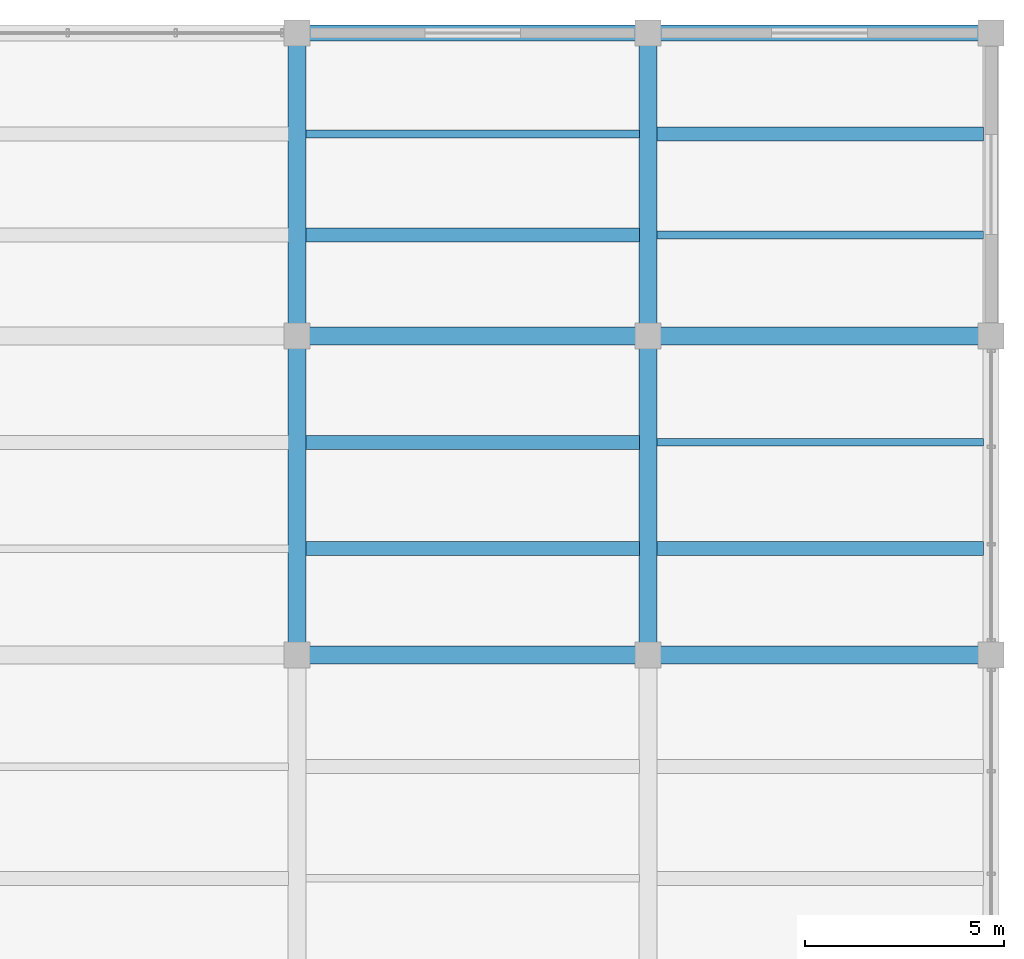
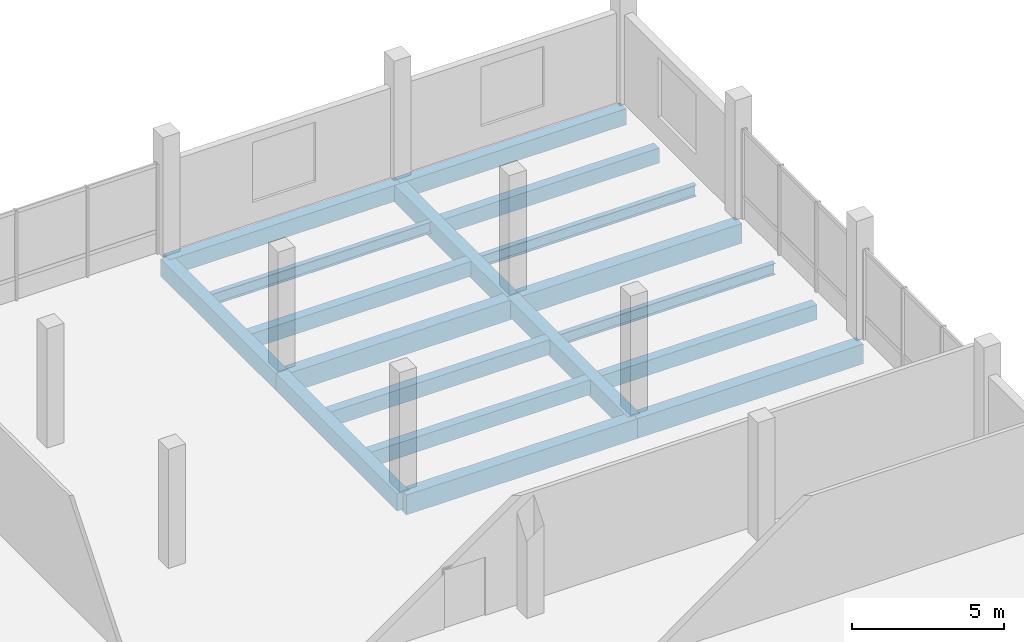
# One storey, part 51 of 71: 18 beams.
"""IFC4 building model written with IfcOpenShell, lengths in metres."""

from ifc_helpers import new_model, si_unit, direction, frame, origin, origin_2d, place, context, subcontext, project, spatial, rectangle, i_section, extrude, material, material_profile, profile_set, type_object, element, save


model = new_model("IFC4")

# Units and contexts
model_context = context("Model", 3, precision=1e-05, world=origin(), true_north=direction((0.0, 1.0)))
body_context = subcontext(model_context, "Body", "Model", "MODEL_VIEW")
ifc_project = project(units=[si_unit("LENGTHUNIT", "METRE"), si_unit("AREAUNIT", "SQUARE_METRE"), si_unit("VOLUMEUNIT", "CUBIC_METRE"), si_unit("PLANEANGLEUNIT", "RADIAN"), si_unit("MASSUNIT", "GRAM", prefix="KILO")], contexts=[model_context])

# Site, building, storey
site_placement = place(None, origin())
site = spatial("IfcSite", under=ifc_project, at=site_placement, CompositionType="ELEMENT")
building_placement = place(site_placement, origin())
building = spatial("IfcBuilding", under=site, at=building_placement, Name="Meriwether Solvik Hall", CompositionType="ELEMENT")
storey_placement = place(building_placement, frame((0.0, 0.0, 5.10009765625)))
storey = spatial("IfcBuildingStorey", under=building, at=storey_placement, Name="L01", CompositionType="ELEMENT", Elevation=5.10009765625)

# Beams
ifc_material_1 = material(Name="Concrete C40/50", Category="concrete")
ifc_material_profile_1 = material_profile(ifc_material_1, rectangle(XDim=0.35009765625, YDim=0.60009765625, at=origin_2d()), Name="RCB-350X600")
ifc_profile_set_1 = profile_set([ifc_material_profile_1], Name="Concrete C40/50")
beam_type_1 = type_object("IfcBeamType", Name="BM-RC-350X600", PredefinedType="JOIST", material=ifc_profile_set_1)
for number, where, z_axis, x_axis, name in (
    (1, (149.6201171875, 103.86669921875, -0.60009765625), (1.0, 0.0, 0.0), (0.0, 1.0, 0.0), "Secondary Floor Joist 17/L_J1 (L01)"),
    (2, (149.6201171875, 106.533203125, -0.60009765625), (1.0, 0.0, 0.0), (0.0, 1.0, 0.0), "Secondary Floor Joist 17/L_J2 (L01)"),
    (3, (149.6201171875, 111.7333984375, -0.60009765625), (1.0, 0.0, 0.0), (0.0, 1.0, 0.0), "Secondary Floor Joist 17/M_J1 (L01)"),
):
    element("IfcBeam", number, at=place(storey_placement, frame(where, z_axis=z_axis, x_axis=x_axis)), inside=storey, type_object=beam_type_1, Name=name, PredefinedType="JOIST", context=body_context, shape_type="SweptSolid", body=[
        extrude(rectangle(XDim=0.35009765625, YDim=0.60009765625, at=origin_2d()), origin(), (0.0, 0.0, 1.0), 8.35986328125),
    ])
for number, where, z_axis, x_axis, name in (
    (4, (158.419921875, 103.86669921875, -0.60009765625), (1.0, 0.0, 0.0), (0.0, 1.0, 0.0), "Secondary Floor Joist 18/L_J1 (L01)"),
    (5, (158.419921875, 114.2666015625, -0.60009765625), (1.0, 0.0, 0.0), (0.0, 1.0, 0.0), "Secondary Floor Joist 18/M_J2 (L01)"),
):
    element("IfcBeam", number, at=place(storey_placement, frame(where, z_axis=z_axis, x_axis=x_axis)), inside=storey, type_object=beam_type_1, Name=name, PredefinedType="JOIST", context=body_context, shape_type="SweptSolid", body=[
        extrude(rectangle(XDim=0.35009765625, YDim=0.60009765625, at=origin_2d()), origin(), (0.0, 0.0, 1.0), 8.18505859375),
    ])
ifc_material_2 = material(Name="Concrete C40/50", Category="concrete")
ifc_material_profile_2 = material_profile(ifc_material_2, rectangle(XDim=0.39990234375, YDim=0.64990234375, at=origin_2d()), Name="RCB-400X650")
ifc_profile_set_2 = profile_set([ifc_material_profile_2], Name="Concrete C40/50")
beam_type_2 = type_object("IfcBeamType", Name="BM-RC-400X650", PredefinedType="SPANDREL", material=ifc_profile_set_2)
beam_1_placement = place(storey_placement, frame((149.39990234375, 116.800048828125, -0.625), z_axis=(1.0, 0.0, 0.0), x_axis=(0.0, 1.0, 0.0)))
element("IfcBeam", 6, at=beam_1_placement, inside=storey, type_object=beam_type_2, Name="Podium Girder N:17-18 (L01)", PredefinedType="SPANDREL", context=body_context, shape_type="SweptSolid", body=[
    extrude(rectangle(XDim=0.39990234375, YDim=0.64990234375, at=origin_2d()), origin(), (0.0, 0.0, 1.0), 8.800048828125),
])
beam_2_placement = place(storey_placement, frame((158.199951171875, 116.800048828125, -0.625), z_axis=(1.0, 0.0, 0.0), x_axis=(0.0, 1.0, 0.0)))
element("IfcBeam", 7, at=beam_2_placement, inside=storey, type_object=beam_type_2, Name="Podium Girder N:18-19 (L01)", PredefinedType="SPANDREL", context=body_context, shape_type="SweptSolid", body=[
    extrude(rectangle(XDim=0.39990234375, YDim=0.64990234375, at=origin_2d()), origin(), (0.0, 0.0, 1.0), 8.60009765625),
])
ifc_material_3 = material(Name="Concrete C40/50", Category="concrete")
ifc_material_profile_3 = material_profile(ifc_material_3, rectangle(XDim=0.449951171875, YDim=0.699951171875, at=origin_2d()), Name="RCB-450X700")
ifc_profile_set_3 = profile_set([ifc_material_profile_3], Name="Concrete C40/50")
beam_type_3 = type_object("IfcBeamType", Name="BM-RC-450X700", PredefinedType="BEAM", material=ifc_profile_set_3)
beam_3_placement = place(storey_placement, frame((149.39990234375, 101.199951171875, -0.650146484375), z_axis=(0.0, 1.0, 0.0), x_axis=(-1.0, 0.0, 0.0)))
element("IfcBeam", 8, at=beam_3_placement, inside=storey, type_object=beam_type_3, Name="Podium Girder 17:L-M (L01)", PredefinedType="BEAM", context=body_context, shape_type="SweptSolid", body=[
    extrude(rectangle(XDim=0.449951171875, YDim=0.699951171875, at=origin_2d()), origin(), (0.0, 0.0, 1.0), 8.0),
])
beam_4_placement = place(storey_placement, frame((149.39990234375, 109.199951171875, -0.650146484375), z_axis=(0.0, 1.0, 0.0), x_axis=(-1.0, 0.0, 0.0)))
element("IfcBeam", 9, at=beam_4_placement, inside=storey, type_object=beam_type_3, Name="Podium Girder 17:M-N (L01)", PredefinedType="BEAM", context=body_context, shape_type="SweptSolid", body=[
    extrude(rectangle(XDim=0.449951171875, YDim=0.699951171875, at=origin_2d()), origin(), (0.0, 0.0, 1.0), 7.60009765625),
])
beam_5_placement = place(storey_placement, frame((158.199951171875, 101.199951171875, -0.650146484375), z_axis=(0.0, 1.0, 0.0), x_axis=(-1.0, 0.0, 0.0)))
element("IfcBeam", 10, at=beam_5_placement, inside=storey, type_object=beam_type_3, Name="Podium Girder 18:L-M (L01)", PredefinedType="BEAM", context=body_context, shape_type="SweptSolid", body=[
    extrude(rectangle(XDim=0.449951171875, YDim=0.699951171875, at=origin_2d()), origin(), (0.0, 0.0, 1.0), 8.0),
])
beam_6_placement = place(storey_placement, frame((158.199951171875, 109.199951171875, -0.650146484375), z_axis=(0.0, 1.0, 0.0), x_axis=(-1.0, 0.0, 0.0)))
element("IfcBeam", 11, at=beam_6_placement, inside=storey, type_object=beam_type_3, Name="Podium Girder 18:M-N (L01)", PredefinedType="BEAM", context=body_context, shape_type="SweptSolid", body=[
    extrude(rectangle(XDim=0.449951171875, YDim=0.699951171875, at=origin_2d()), origin(), (0.0, 0.0, 1.0), 7.60009765625),
])
ifc_material_4 = material(Name="Concrete C40/50", Category="concrete")
ifc_material_profile_4 = material_profile(ifc_material_4, rectangle(XDim=0.449951171875, YDim=0.800048828125, at=origin_2d()), Name="RCB-450X800")
ifc_profile_set_4 = profile_set([ifc_material_profile_4], Name="Concrete C40/50")
beam_type_4 = type_object("IfcBeamType", Name="BM-RC-450X800", PredefinedType="BEAM", material=ifc_profile_set_4)
beam_7_placement = place(storey_placement, frame((149.39990234375, 101.199951171875, -0.7001953125), z_axis=(1.0, 0.0, 0.0), x_axis=(0.0, 1.0, 0.0)))
element("IfcBeam", 12, at=beam_7_placement, inside=storey, type_object=beam_type_4, Name="Podium Girder L:17-18 (L01)", PredefinedType="BEAM", context=body_context, shape_type="SweptSolid", body=[
    extrude(rectangle(XDim=0.449951171875, YDim=0.800048828125, at=origin_2d()), origin(), (0.0, 0.0, 1.0), 8.800048828125),
])
beam_8_placement = place(storey_placement, frame((158.199951171875, 101.199951171875, -0.7001953125), z_axis=(1.0, 0.0, 0.0), x_axis=(0.0, 1.0, 0.0)))
element("IfcBeam", 13, at=beam_8_placement, inside=storey, type_object=beam_type_4, Name="Podium Girder L:18-19 (L01)", PredefinedType="BEAM", context=body_context, shape_type="SweptSolid", body=[
    extrude(rectangle(XDim=0.449951171875, YDim=0.800048828125, at=origin_2d()), origin(), (0.0, 0.0, 1.0), 8.60009765625),
])
beam_9_placement = place(storey_placement, frame((149.39990234375, 109.199951171875, -0.7001953125), z_axis=(1.0, 0.0, 0.0), x_axis=(0.0, 1.0, 0.0)))
element("IfcBeam", 14, at=beam_9_placement, inside=storey, type_object=beam_type_4, Name="Podium Girder M:17-18 (L01)", PredefinedType="BEAM", context=body_context, shape_type="SweptSolid", body=[
    extrude(rectangle(XDim=0.449951171875, YDim=0.800048828125, at=origin_2d()), origin(), (0.0, 0.0, 1.0), 8.800048828125),
])
beam_10_placement = place(storey_placement, frame((158.199951171875, 109.199951171875, -0.7001953125), z_axis=(1.0, 0.0, 0.0), x_axis=(0.0, 1.0, 0.0)))
element("IfcBeam", 15, at=beam_10_placement, inside=storey, type_object=beam_type_4, Name="Podium Girder M:18-19 (L01)", PredefinedType="BEAM", context=body_context, shape_type="SweptSolid", body=[
    extrude(rectangle(XDim=0.449951171875, YDim=0.800048828125, at=origin_2d()), origin(), (0.0, 0.0, 1.0), 8.60009765625),
])
ifc_material_5 = material(Name="Steel A992 Grade 50", Category="steel")
ifc_material_profile_5 = material_profile(ifc_material_5, i_section(OverallWidth=0.19091796875, OverallDepth=0.45703125, WebThickness=0.009033203125, FlangeThickness=0.014404296875, at=origin_2d()), Name="W18X50")
ifc_profile_set_5 = profile_set([ifc_material_profile_5], Name="Steel A992 Grade 50")
beam_type_5 = type_object("IfcBeamType", Name="BM-STL-W18X50", PredefinedType="JOIST", material=ifc_profile_set_5)
beam_11_placement = place(storey_placement, frame((149.6201171875, 114.2666015625, -0.528564453125), z_axis=(1.0, 0.0, 0.0), x_axis=(0.0, 1.0, 0.0)))
element("IfcBeam", 16, at=beam_11_placement, inside=storey, type_object=beam_type_5, Name="Secondary Floor Joist 17/M_J2 (L01)", PredefinedType="JOIST", context=body_context, shape_type="SweptSolid", body=[
    extrude(i_section(OverallWidth=0.19091796875, OverallDepth=0.45703125, WebThickness=0.009033203125, FlangeThickness=0.014404296875, at=origin_2d()), origin(), (0.0, 0.0, 1.0), 8.35986328125),
])
for number, where, z_axis, x_axis, name in (
    (17, (158.419921875, 106.533203125, -0.528564453125), (1.0, 0.0, 0.0), (0.0, 1.0, 0.0), "Secondary Floor Joist 18/L_J2 (L01)"),
    (18, (158.419921875, 111.7333984375, -0.528564453125), (1.0, 0.0, 0.0), (0.0, 1.0, 0.0), "Secondary Floor Joist 18/M_J1 (L01)"),
):
    element("IfcBeam", number, at=place(storey_placement, frame(where, z_axis=z_axis, x_axis=x_axis)), inside=storey, type_object=beam_type_5, Name=name, PredefinedType="JOIST", context=body_context, shape_type="SweptSolid", body=[
        extrude(i_section(OverallWidth=0.19091796875, OverallDepth=0.45703125, WebThickness=0.009033203125, FlangeThickness=0.014404296875, at=origin_2d()), origin(), (0.0, 0.0, 1.0), 8.18505859375),
    ])

save(model, "model.ifc")
